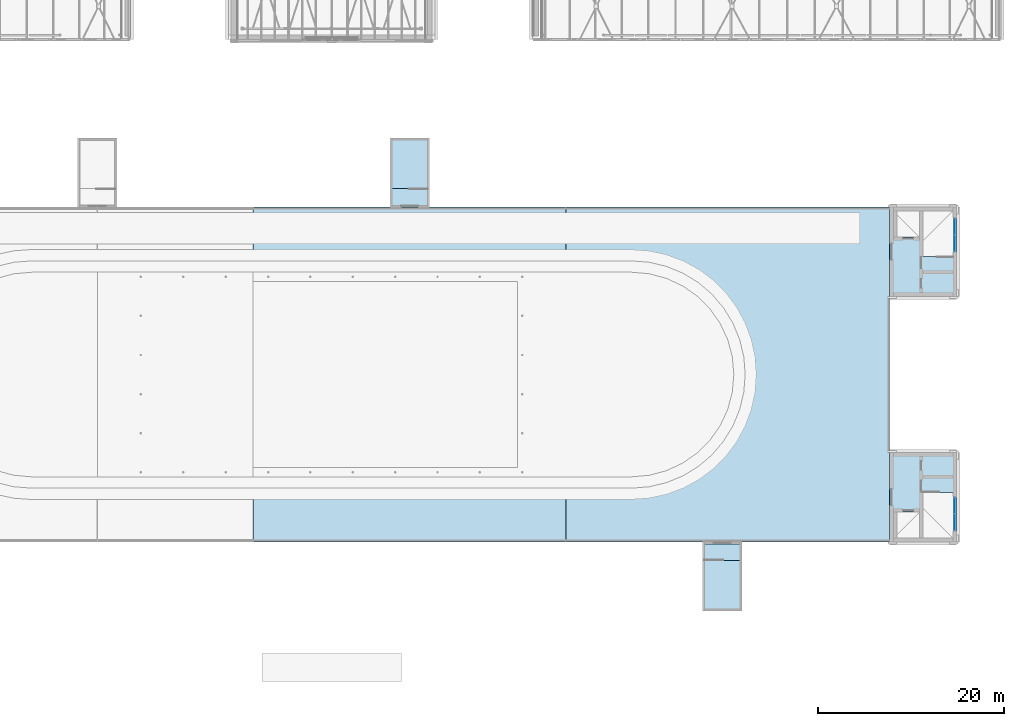
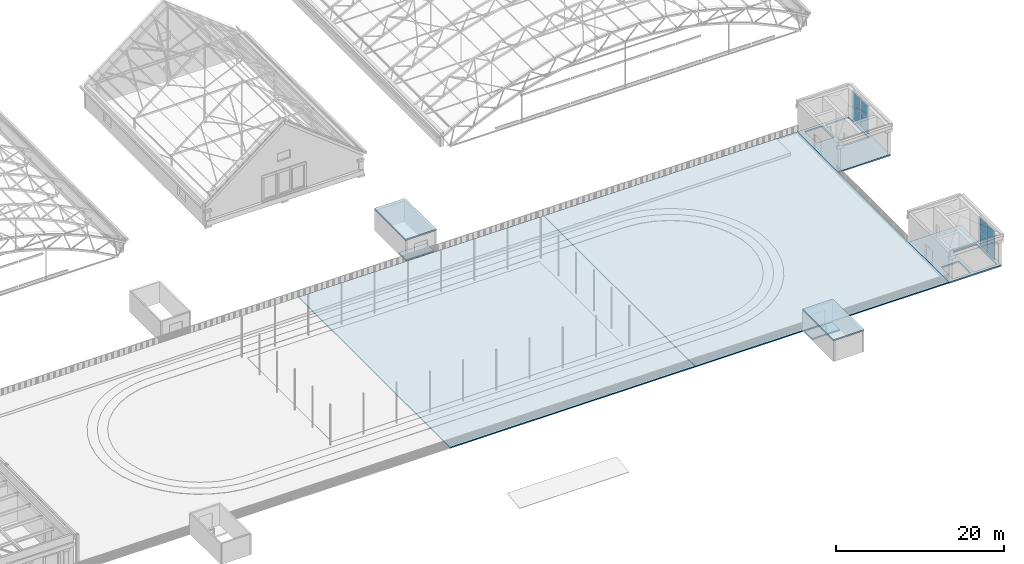
# One storey, part 70 of 127: 8 plates, 8 slabs, 2 elements without a shape of their own.
"""IFC4 building model written with IfcOpenShell, lengths in metres."""

from ifc_helpers import new_model, si_unit, direction, frame, origin, origin_2d, place, context, subcontext, project, spatial, polyline, rectangle, outline, extrude, material, layer, layer_set, type_object, element, aggregate, save


model = new_model("IFC4")

# Units and contexts
model_context = context("Model", 3, precision=1e-05, world=origin(), true_north=direction((0.0, 1.0)))
body_context = subcontext(model_context, "Body", "Model", "MODEL_VIEW")
ifc_project = project(units=[si_unit("LENGTHUNIT", "METRE"), si_unit("AREAUNIT", "SQUARE_METRE"), si_unit("VOLUMEUNIT", "CUBIC_METRE"), si_unit("PLANEANGLEUNIT", "RADIAN"), si_unit("MASSUNIT", "GRAM", prefix="KILO")], contexts=[model_context])

# Site, building, storey
site_placement = place(None, origin())
site = spatial("IfcSite", under=ifc_project, at=site_placement, CompositionType="ELEMENT")
building_placement = place(site_placement, origin())
building = spatial("IfcBuilding", under=site, at=building_placement, Name="Verrick Yard Athletic Hall", CompositionType="ELEMENT")
storey_placement = place(building_placement, frame((0.0, 0.0, 14.0)))
storey = spatial("IfcBuildingStorey", under=building, at=storey_placement, Name="L03", CompositionType="ELEMENT", Elevation=14.0)

# Slabs
ifc_material_1 = material(Name="Concrete 35 MPa", Category="concrete")
ifc_layer_1 = layer(ifc_material_1, 0.199951171875)
ifc_layer_set_1 = layer_set([ifc_layer_1], Name="Core floor slab 200")
slab_type_1 = type_object("IfcSlabType", Name="Core floor slab 200", PredefinedType="FLOOR", material=ifc_layer_set_1)
slab_1_placement = place(storey_placement, frame((0.0, 0.0, -0.199951171875)))
element("IfcSlab", 1, at=slab_1_placement, inside=storey, type_object=slab_type_1, Name="CORE-CB3-FLR-L03", PredefinedType="FLOOR", context=body_context, shape_type="SweptSolid", body=[
    extrude(outline(polyline([(158.800048828125, 18.0), (166.0, 18.0), (166.0, 27.60009765625), (158.800048828125, 27.60009765625), (158.800048828125, 18.0)]), holes=[polyline([(162.403076171875, 23.297119140625), (165.596923828125, 23.297119140625), (165.596923828125, 18.403076171875), (162.403076171875, 18.403076171875), (162.403076171875, 23.297119140625)]), polyline([(159.60302734375, 18.403076171875), (159.60302734375, 21.197021484375), (161.9970703125, 21.197021484375), (161.9970703125, 18.403076171875), (159.60302734375, 18.403076171875)])]), origin(), (0.0, 0.0, 1.0), 0.199951171875),
])
slab_2_placement = place(storey_placement, frame((0.0, 0.0, -0.199951171875)))
element("IfcSlab", 2, at=slab_2_placement, inside=storey, type_object=slab_type_1, Name="CORE-CB4-FLR-L03", PredefinedType="FLOOR", context=body_context, shape_type="SweptSolid", body=[
    extrude(outline(polyline([(158.800048828125, 44.39990234375), (166.0, 44.39990234375), (166.0, 54.0), (158.800048828125, 54.0), (158.800048828125, 44.39990234375)]), holes=[polyline([(165.596923828125, 48.702880859375), (162.403076171875, 48.702880859375), (162.403076171875, 53.596923828125), (165.596923828125, 53.596923828125), (165.596923828125, 48.702880859375)]), polyline([(159.60302734375, 50.802978515625), (159.60302734375, 53.596923828125), (161.9970703125, 53.596923828125), (161.9970703125, 50.802978515625), (159.60302734375, 50.802978515625)])]), origin(), (0.0, 0.0, 1.0), 0.199951171875),
])
slab_3_placement = place(storey_placement, frame((0.0, 0.0, -0.199951171875)))
element("IfcSlab", 3, at=slab_3_placement, inside=storey, type_object=slab_type_1, Name="CORE-DT-N2-NL-L03", PredefinedType="FLOOR", context=body_context, shape_type="SweptSolid", body=[
    extrude(outline(polyline([(109.10009765625, 54.199951171875), (109.10009765625, 56.0), (105.300048828125, 56.0), (105.300048828125, 54.199951171875), (109.10009765625, 54.199951171875)])), origin(), (0.0, 0.0, 1.0), 0.199951171875),
])
slab_4_placement = place(storey_placement, frame((0.0, 0.0, -0.199951171875)))
element("IfcSlab", 4, at=slab_4_placement, inside=storey, type_object=slab_type_1, Name="CORE-DT-S2-NL-L03", PredefinedType="FLOOR", context=body_context, shape_type="SweptSolid", body=[
    extrude(outline(polyline([(138.89990234375, 17.800048828125), (138.89990234375, 16.0), (142.699951171875, 16.0), (142.699951171875, 17.800048828125), (138.89990234375, 17.800048828125)])), origin(), (0.0, 0.0, 1.0), 0.199951171875),
])

# Curtain wall, plates
ifc_material_2 = material(Name="Aluminium 6063-T5", Category="aluminium")
curtain_wall_type = type_object("IfcCurtainWallType", Name="Core glazing strip", PredefinedType="NOTDEFINED", material=ifc_material_2)
curtain_wall_1_placement = place(storey_placement, origin())
curtain_wall_1 = element("IfcCurtainWall", 5, at=curtain_wall_1_placement, inside=storey, type_object=curtain_wall_type, Name="CORE-CB3-CW-L03", PredefinedType="NOTDEFINED")
ifc_material_3 = material(Name="Glass IGU low-e", Category="glass")
ifc_layer_2 = layer(ifc_material_3, 0.028076171875)
ifc_layer_set_2 = layer_set([ifc_layer_2], Name="Core glazing panel 28")
plate_type = type_object("IfcPlateType", Name="Core glazing panel 28", PredefinedType="CURTAIN_PANEL", material=ifc_layer_set_2)
plate_1_placement = place(storey_placement, frame((165.800048828125, 20.114990234375, 0.06005859375), z_axis=(0.0, 0.0, 1.0), x_axis=(0.0, 1.0, 0.0)))
plate_1 = element("IfcPlate", 6, at=plate_1_placement, type_object=plate_type, Name="CW5 panel 1.1", PredefinedType="CURTAIN_PANEL", context=body_context, shape_type="SweptSolid", body=[
    extrude(rectangle(XDim=1.7099609375, YDim=0.028076171875, at=origin_2d()), origin(), (0.0, 0.0, 1.0), 2.010009765625),
])
plate_2_placement = place(storey_placement, frame((165.800048828125, 20.114990234375, 2.1298828125), z_axis=(0.0, 0.0, 1.0), x_axis=(0.0, 1.0, 0.0)))
plate_2 = element("IfcPlate", 7, at=plate_2_placement, type_object=plate_type, Name="CW5 panel 1.2", PredefinedType="CURTAIN_PANEL", context=body_context, shape_type="SweptSolid", body=[
    extrude(rectangle(XDim=1.7099609375, YDim=0.028076171875, at=origin_2d()), origin(), (0.0, 0.0, 1.0), 2.010009765625),
])
plate_3_placement = place(storey_placement, frame((165.800048828125, 21.885009765625, 0.06005859375), z_axis=(0.0, 0.0, 1.0), x_axis=(0.0, 1.0, 0.0)))
plate_3 = element("IfcPlate", 8, at=plate_3_placement, type_object=plate_type, Name="CW5 panel 2.1", PredefinedType="CURTAIN_PANEL", context=body_context, shape_type="SweptSolid", body=[
    extrude(rectangle(XDim=1.7099609375, YDim=0.028076171875, at=origin_2d()), origin(), (0.0, 0.0, 1.0), 2.010009765625),
])
plate_4_placement = place(storey_placement, frame((165.800048828125, 21.885009765625, 2.1298828125), z_axis=(0.0, 0.0, 1.0), x_axis=(0.0, 1.0, 0.0)))
plate_4 = element("IfcPlate", 9, at=plate_4_placement, type_object=plate_type, Name="CW5 panel 2.2", PredefinedType="CURTAIN_PANEL", context=body_context, shape_type="SweptSolid", body=[
    extrude(rectangle(XDim=1.7099609375, YDim=0.028076171875, at=origin_2d()), origin(), (0.0, 0.0, 1.0), 2.010009765625),
])
aggregate(curtain_wall_1, [plate_1, plate_2, plate_3, plate_4])

curtain_wall_2_placement = place(storey_placement, origin())
curtain_wall_2 = element("IfcCurtainWall", 10, at=curtain_wall_2_placement, inside=storey, type_object=curtain_wall_type, Name="CORE-CB4-CW-L03", PredefinedType="NOTDEFINED")
plate_5_placement = place(storey_placement, frame((165.800048828125, 50.114990234375, 0.06005859375), z_axis=(0.0, 0.0, 1.0), x_axis=(0.0, 1.0, 0.0)))
plate_5 = element("IfcPlate", 11, at=plate_5_placement, type_object=plate_type, Name="CW5 panel 1.1", PredefinedType="CURTAIN_PANEL", context=body_context, shape_type="SweptSolid", body=[
    extrude(rectangle(XDim=1.7099609375, YDim=0.028076171875, at=origin_2d()), origin(), (0.0, 0.0, 1.0), 2.010009765625),
])
plate_6_placement = place(storey_placement, frame((165.800048828125, 50.114990234375, 2.1298828125), z_axis=(0.0, 0.0, 1.0), x_axis=(0.0, 1.0, 0.0)))
plate_6 = element("IfcPlate", 12, at=plate_6_placement, type_object=plate_type, Name="CW5 panel 1.2", PredefinedType="CURTAIN_PANEL", context=body_context, shape_type="SweptSolid", body=[
    extrude(rectangle(XDim=1.7099609375, YDim=0.028076171875, at=origin_2d()), origin(), (0.0, 0.0, 1.0), 2.010009765625),
])
plate_7_placement = place(storey_placement, frame((165.800048828125, 51.885009765625, 0.06005859375), z_axis=(0.0, 0.0, 1.0), x_axis=(0.0, 1.0, 0.0)))
plate_7 = element("IfcPlate", 13, at=plate_7_placement, type_object=plate_type, Name="CW5 panel 2.1", PredefinedType="CURTAIN_PANEL", context=body_context, shape_type="SweptSolid", body=[
    extrude(rectangle(XDim=1.7099609375, YDim=0.028076171875, at=origin_2d()), origin(), (0.0, 0.0, 1.0), 2.010009765625),
])
plate_8_placement = place(storey_placement, frame((165.800048828125, 51.885009765625, 2.1298828125), z_axis=(0.0, 0.0, 1.0), x_axis=(0.0, 1.0, 0.0)))
plate_8 = element("IfcPlate", 14, at=plate_8_placement, type_object=plate_type, Name="CW5 panel 2.2", PredefinedType="CURTAIN_PANEL", context=body_context, shape_type="SweptSolid", body=[
    extrude(rectangle(XDim=1.7099609375, YDim=0.028076171875, at=origin_2d()), origin(), (0.0, 0.0, 1.0), 2.010009765625),
])
aggregate(curtain_wall_2, [plate_5, plate_6, plate_7, plate_8])

# Slabs
ifc_layer_3 = layer(ifc_material_1, 0.199951171875)
ifc_layer_set_3 = layer_set([ifc_layer_3], Name="Core roof slab 200")
slab_type_2 = type_object("IfcSlabType", Name="Core roof slab 200", PredefinedType="ROOF", material=ifc_layer_set_3)
slab_5_placement = place(storey_placement, frame((0.0, 0.0, 3.0)))
element("IfcSlab", 15, at=slab_5_placement, inside=storey, type_object=slab_type_2, Name="CORE-DT-N2-COVER", PredefinedType="ROOF", context=body_context, shape_type="SweptSolid", body=[
    extrude(outline(polyline([(105.10009765625, 54.0), (109.300048828125, 54.0), (109.300048828125, 61.39990234375), (105.10009765625, 61.39990234375), (105.10009765625, 54.0)])), origin(), (0.0, 0.0, 1.0), 0.199951171875),
])
slab_6_placement = place(storey_placement, frame((0.0, 0.0, 3.0)))
element("IfcSlab", 16, at=slab_6_placement, inside=storey, type_object=slab_type_2, Name="CORE-DT-S2-COVER", PredefinedType="ROOF", context=body_context, shape_type="SweptSolid", body=[
    extrude(outline(polyline([(138.699951171875, 10.60009765625), (142.89990234375, 10.60009765625), (142.89990234375, 18.0), (138.699951171875, 18.0), (138.699951171875, 10.60009765625)])), origin(), (0.0, 0.0, 1.0), 0.199951171875),
])
ifc_layer_4 = layer(ifc_material_1, 0.14990234375)
ifc_layer_set_4 = layer_set([ifc_layer_4], Name="STR Composite deck slab SL3")
slab_type_3 = type_object("IfcSlabType", Name="STR Composite deck slab SL3", PredefinedType="ROOF", material=ifc_layer_set_4)
slab_7_placement = place(storey_placement, frame((0.0, 0.0, -0.14990234375)))
element("IfcSlab", 17, at=slab_7_placement, inside=storey, type_object=slab_type_3, Name="STR-SL-DECK-DZ2B", PredefinedType="ROOF", context=body_context, shape_type="SweptSolid", body=[
    extrude(outline(polyline([(123.97509765625, 54.0), (90.425048828125, 54.0), (90.425048828125, 18.0), (123.97509765625, 18.0), (123.97509765625, 54.0)])), origin(), (0.0, 0.0, 1.0), 0.14990234375),
])
slab_8_placement = place(storey_placement, frame((0.0, 0.0, -0.14990234375)))
element("IfcSlab", 18, at=slab_8_placement, inside=storey, type_object=slab_type_3, Name="STR-SL-DECK-DZ3", PredefinedType="ROOF", context=body_context, shape_type="SweptSolid", body=[
    extrude(outline(polyline([(158.800048828125, 54.0), (124.02490234375, 54.0), (124.02490234375, 18.0), (158.800048828125, 18.0), (158.800048828125, 54.0)])), origin(), (0.0, 0.0, 1.0), 0.14990234375),
])

save(model, "model.ifc")
